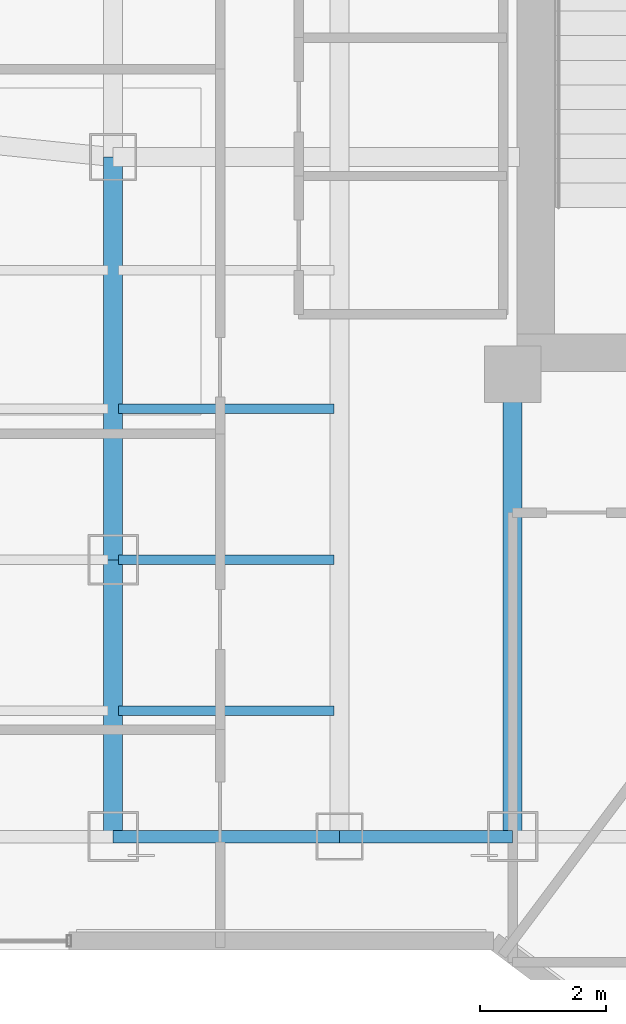
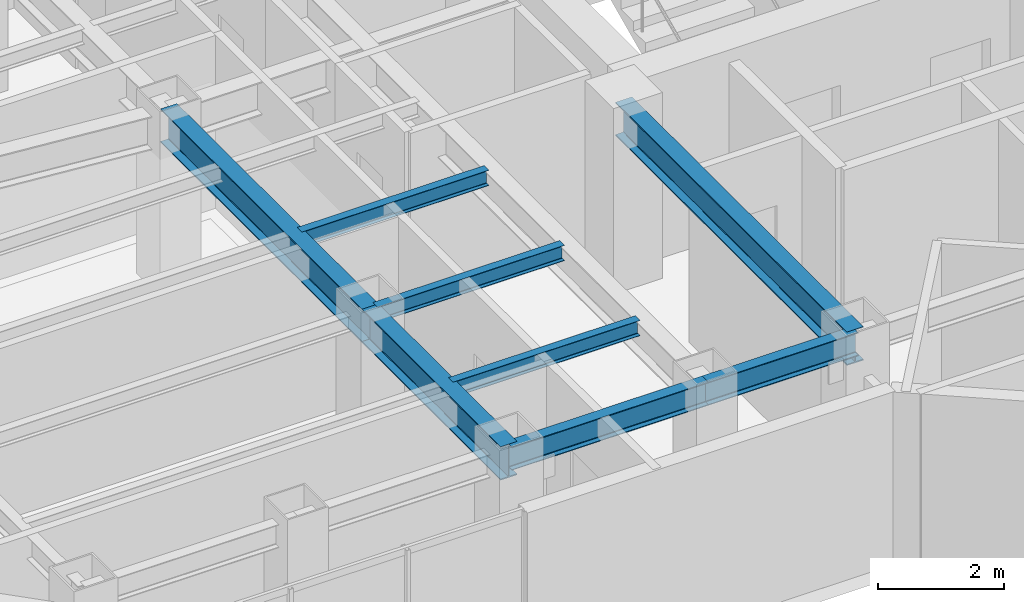
# One storey, part 5 of 27: 8 beams.
"""IFC4 building model written with IfcOpenShell, lengths in metres."""

from ifc_helpers import new_model, si_unit, direction, frame, origin, origin_2d, place, context, subcontext, project, spatial, i_section, extrude, material, material_profile, profile_set, type_object, element, save


model = new_model("IFC4")

# Units and contexts
model_context = context("Model", 3, precision=1e-05, world=origin(), true_north=direction((0.0, 1.0)))
body_context = subcontext(model_context, "Body", "Model", "MODEL_VIEW")
ifc_project = project(units=[si_unit("LENGTHUNIT", "METRE"), si_unit("AREAUNIT", "SQUARE_METRE"), si_unit("VOLUMEUNIT", "CUBIC_METRE"), si_unit("PLANEANGLEUNIT", "RADIAN"), si_unit("MASSUNIT", "GRAM", prefix="KILO")], contexts=[model_context])

# Site, building, storey
site_placement = place(None, origin())
site = spatial("IfcSite", under=ifc_project, at=site_placement, CompositionType="ELEMENT")
building_placement = place(site_placement, origin())
building = spatial("IfcBuilding", under=site, at=building_placement, Name="Hatsunagi Terrace Concourse", CompositionType="ELEMENT")
storey_placement = place(building_placement, frame((0.0, 0.0, 163.64990234375)))
storey = spatial("IfcBuildingStorey", under=building, at=storey_placement, Name="L43", CompositionType="ELEMENT", Elevation=163.64990234375)

# Beams
ifc_material_1 = material(Name="Steel SN490B", Category="steel")
ifc_material_profile_1 = material_profile(ifc_material_1, i_section(OverallWidth=0.14990234375, OverallDepth=0.300048828125, WebThickness=0.006591796875, FlangeThickness=0.009033203125, FilletRadius=0.010986328125, at=origin_2d()), Name="H-300x150x6.5x9")
ifc_profile_set_1 = profile_set([ifc_material_profile_1], Name="Steel SN490B")
beam_type_1 = type_object("IfcBeamType", Name="OfficeJoist_H_300x150", PredefinedType="JOIST", material=ifc_profile_set_1)
for number, where, z_axis, x_axis, name in (
    (1, (19.284912109375, 27.199951171875, 3.2001953125), (1.0, 0.0, 0.0), (0.0, 1.0, 0.0), "Beam J-03 J-L43-W-19-272"),
    (2, (19.284912109375, 29.60009765625, 3.2001953125), (1.0, 0.0, 0.0), (0.0, 1.0, 0.0), "Beam J-03 J-L43-W-19-296"),
    (3, (19.284912109375, 32.0, 3.2001953125), (1.0, 0.0, 0.0), (0.0, 1.0, 0.0), "Beam J-03 J-L43-W-19-320"),
):
    element("IfcBeam", number, at=place(storey_placement, frame(where, z_axis=z_axis, x_axis=x_axis)), inside=storey, type_object=beam_type_1, Name=name, PredefinedType="JOIST", context=body_context, shape_type="SweptSolid", body=[
        extrude(i_section(OverallWidth=0.14990234375, OverallDepth=0.300048828125, WebThickness=0.006591796875, FlangeThickness=0.009033203125, FilletRadius=0.010986328125, at=origin_2d()), origin(), (0.0, 0.0, 1.0), 3.43017578125),
    ])
ifc_material_2 = material(Name="Steel SN490B", Category="steel")
ifc_material_profile_2 = material_profile(ifc_material_2, i_section(OverallWidth=0.300048828125, OverallDepth=0.64990234375, WebThickness=0.012939453125, FlangeThickness=0.02197265625, FilletRadius=0.01806640625, at=origin_2d()), Name="H-650x300x13x22")
ifc_profile_set_2 = profile_set([ifc_material_profile_2], Name="Steel SN490B")
beam_type_2 = type_object("IfcBeamType", Name="OfficeLowGirder_H_650x300", PredefinedType="BEAM", material=ifc_profile_set_2)
beam_1_placement = place(storey_placement, frame((25.550048828125, 25.199951171875, 3.025146484375), z_axis=(0.0, 1.0, 0.0), x_axis=(-1.0, 0.0, 0.0)))
element("IfcBeam", 4, at=beam_1_placement, inside=storey, type_object=beam_type_2, Name="Beam G-05 BM-L43-K1CA", PredefinedType="BEAM", context=body_context, shape_type="SweptSolid", body=[
    extrude(i_section(OverallWidth=0.300048828125, OverallDepth=0.64990234375, WebThickness=0.012939453125, FlangeThickness=0.02197265625, FilletRadius=0.01806640625, at=origin_2d()), origin(), (0.0, 0.0, 1.0), 7.35009765625),
])
beam_2_placement = place(storey_placement, frame((19.199951171875, 25.199951171875, 3.025146484375), z_axis=(0.0, 1.0, 0.0), x_axis=(-1.0, 0.0, 0.0)))
element("IfcBeam", 5, at=beam_2_placement, inside=storey, type_object=beam_type_2, Name="Beam G-05 BM-L43-NS-19-25", PredefinedType="BEAM", context=body_context, shape_type="SweptSolid", body=[
    extrude(i_section(OverallWidth=0.300048828125, OverallDepth=0.64990234375, WebThickness=0.012939453125, FlangeThickness=0.02197265625, FilletRadius=0.01806640625, at=origin_2d()), origin(), (0.0, 0.0, 1.0), 4.400146484375),
])
beam_3_placement = place(storey_placement, frame((19.199951171875, 29.60009765625, 3.025146484375), z_axis=(0.0, 1.0, 0.0), x_axis=(-1.0, 0.0, 0.0)))
element("IfcBeam", 6, at=beam_3_placement, inside=storey, type_object=beam_type_2, Name="Beam G-05 BM-L43-NS-19-29", PredefinedType="BEAM", context=body_context, shape_type="SweptSolid", body=[
    extrude(i_section(OverallWidth=0.300048828125, OverallDepth=0.64990234375, WebThickness=0.012939453125, FlangeThickness=0.02197265625, FilletRadius=0.01806640625, at=origin_2d()), origin(), (0.0, 0.0, 1.0), 6.39990234375),
])
ifc_material_3 = material(Name="Steel SN490B", Category="steel")
ifc_material_profile_3 = material_profile(ifc_material_3, i_section(OverallWidth=0.199951171875, OverallDepth=0.449951171875, WebThickness=0.009033203125, FlangeThickness=0.013916015625, FilletRadius=0.01611328125, at=origin_2d()), Name="H-450x200x9x14")
ifc_profile_set_3 = profile_set([ifc_material_profile_3], Name="Steel SN490B")
beam_type_3 = type_object("IfcBeamType", Name="PerimeterSpandrel_H_450x200", PredefinedType="SPANDREL", material=ifc_profile_set_3)
beam_4_placement = place(storey_placement, frame((19.199951171875, 25.199951171875, 3.125), z_axis=(1.0, 0.0, 0.0), x_axis=(0.0, 1.0, 0.0)))
element("IfcBeam", 7, at=beam_4_placement, inside=storey, type_object=beam_type_3, Name="Beam SP-02 BM-L43-WS-19", PredefinedType="SPANDREL", context=body_context, shape_type="SweptSolid", body=[
    extrude(i_section(OverallWidth=0.199951171875, OverallDepth=0.449951171875, WebThickness=0.009033203125, FlangeThickness=0.013916015625, FilletRadius=0.01611328125, at=origin_2d()), origin(), (0.0, 0.0, 1.0), 3.60009765625),
])
beam_5_placement = place(storey_placement, frame((22.800048828125, 25.199951171875, 3.125), z_axis=(1.0, 0.0, 0.0), x_axis=(0.0, 1.0, 0.0)))
element("IfcBeam", 8, at=beam_5_placement, inside=storey, type_object=beam_type_3, Name="Beam SP-02 BM-L43-WS-22", PredefinedType="SPANDREL", context=body_context, shape_type="SweptSolid", body=[
    extrude(i_section(OverallWidth=0.199951171875, OverallDepth=0.449951171875, WebThickness=0.009033203125, FlangeThickness=0.013916015625, FilletRadius=0.01611328125, at=origin_2d()), origin(), (0.0, 0.0, 1.0), 2.75),
])

save(model, "model.ifc")
